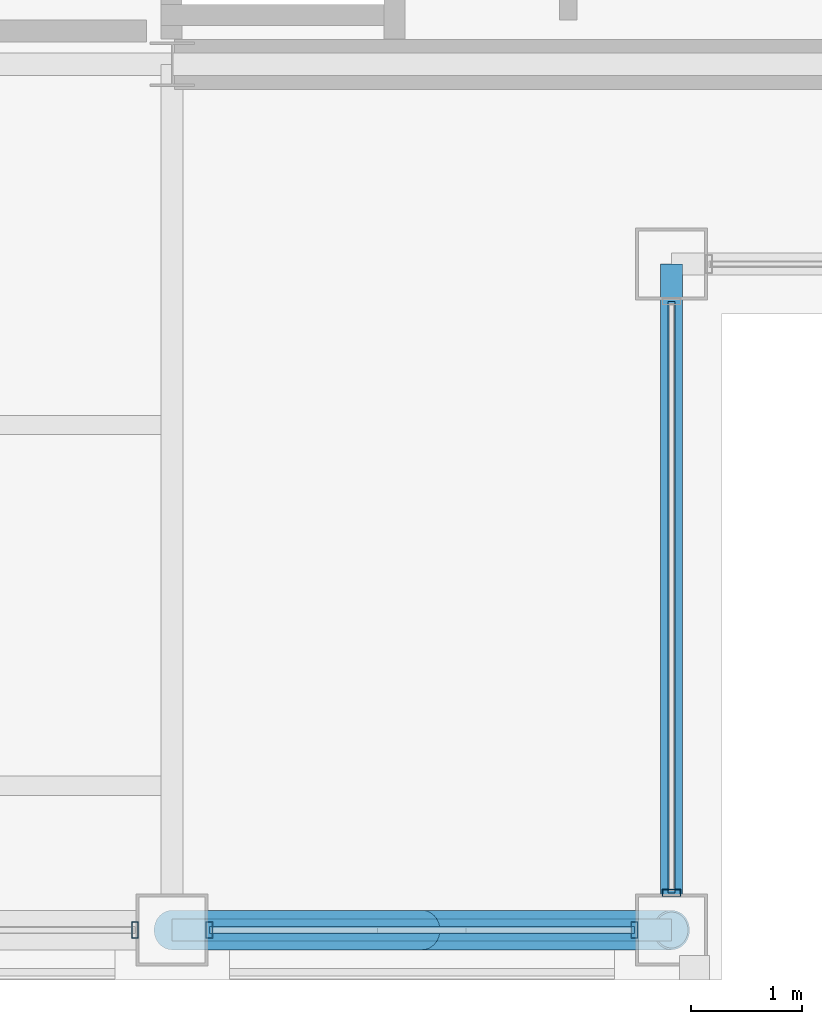
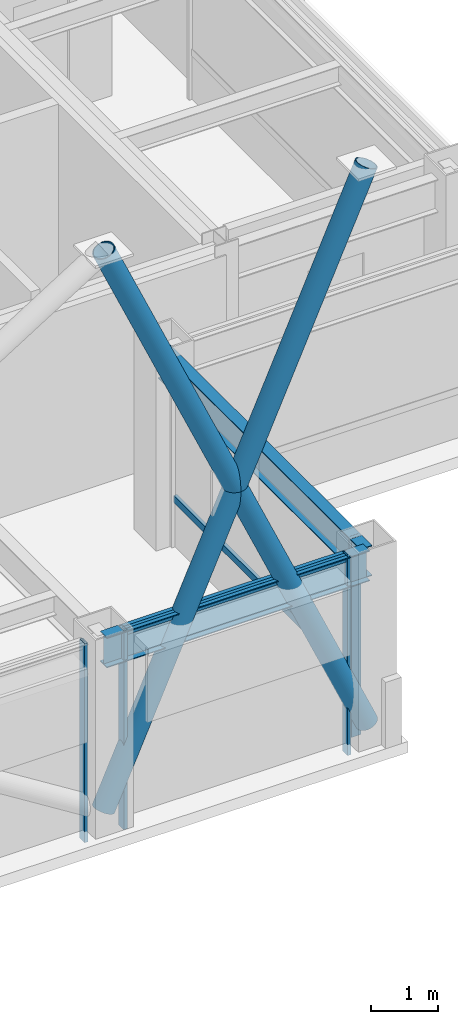
# One storey, part 8 of 30: 9 members, 2 beams, 3 elements without a shape of their own.
"""IFC4 building model written with IfcOpenShell, lengths in metres."""

from ifc_helpers import new_model, si_unit, direction, frame, origin, origin_2d, place, context, subcontext, project, spatial, hollow_rectangle, hollow_circle, i_section, extrude, material, layer, layer_set, material_profile, profile_set, type_object, element, aggregate, save


model = new_model("IFC4")

# Units and contexts
model_context = context("Model", 3, precision=1e-05, world=origin(), true_north=direction((0.0, 1.0)))
body_context = subcontext(model_context, "Body", "Model", "MODEL_VIEW")
ifc_project = project(units=[si_unit("LENGTHUNIT", "METRE"), si_unit("AREAUNIT", "SQUARE_METRE"), si_unit("VOLUMEUNIT", "CUBIC_METRE"), si_unit("PLANEANGLEUNIT", "RADIAN"), si_unit("MASSUNIT", "GRAM", prefix="KILO")], contexts=[model_context])

# Site, building, storey
site_placement = place(None, origin())
site = spatial("IfcSite", under=ifc_project, at=site_placement, CompositionType="ELEMENT")
building_placement = place(site_placement, origin())
building = spatial("IfcBuilding", under=site, at=building_placement, Name="Brelmoor Portico Tower", CompositionType="ELEMENT")
storey_placement = place(building_placement, frame((0.0, 0.0, 236.39990234375)))
storey = spatial("IfcBuildingStorey", under=building, at=storey_placement, Name="L62", CompositionType="ELEMENT", Elevation=236.39990234375)

# Beams
ifc_material_1 = material(Name="Steel Q355B", Category="steel")
ifc_material_profile_1 = material_profile(ifc_material_1, i_section(OverallWidth=0.199951171875, OverallDepth=0.550048828125, WebThickness=0.010009765625, FlangeThickness=0.01611328125, at=origin_2d()), Name="HN 550x200x10x16")
ifc_profile_set_1 = profile_set([ifc_material_profile_1], Name="Steel Q355B")
beam_type = type_object("IfcBeamType", Name="BM-SP-550", PredefinedType="SPANDREL", material=ifc_profile_set_1)
beam_1_placement = place(storey_placement, frame((8.050048828125, -17.550048828125, 3.125), z_axis=(1.0, 0.0, 0.0), x_axis=(0.0, 1.0, 0.0)))
element("IfcBeam", 1, at=beam_1_placement, inside=storey, type_object=beam_type, Name="L62 Perimeter Spandrel Beam SP-03", PredefinedType="SPANDREL", context=body_context, shape_type="SweptSolid", body=[
    extrude(i_section(OverallWidth=0.199951171875, OverallDepth=0.550048828125, WebThickness=0.010009765625, FlangeThickness=0.01611328125, at=origin_2d()), origin(), (0.0, 0.0, 1.0), 4.5),
])
beam_2_placement = place(storey_placement, frame((12.550048828125, -17.550048828125, 3.125), z_axis=(0.0, 1.0, 0.0), x_axis=(-1.0, 0.0, 0.0)))
element("IfcBeam", 2, at=beam_2_placement, inside=storey, type_object=beam_type, Name="L62 Perimeter Spandrel Beam SP-16", PredefinedType="SPANDREL", context=body_context, shape_type="SweptSolid", body=[
    extrude(i_section(OverallWidth=0.199951171875, OverallDepth=0.550048828125, WebThickness=0.010009765625, FlangeThickness=0.01611328125, at=origin_2d()), origin(), (0.0, 0.0, 1.0), 6.0),
])

# Members
ifc_material_profile_2 = material_profile(ifc_material_1, hollow_circle(Radius=0.177978515625, WallThickness=0.01611328125, at=origin_2d()), Name="CHS 356x16")
ifc_profile_set_2 = profile_set([ifc_material_profile_2], Name="Steel Q355B")
member_type_1 = type_object("IfcMemberType", Name="MB-BELT-DIAG2", PredefinedType="BRACE", material=ifc_profile_set_2)
member_1_placement = place(storey_placement, frame((8.050048828125, -17.550048828125, 0.25), z_axis=(0.406974140277, 0.0, 0.913439680081), x_axis=(0.0, 1.0, 0.0)))
element("IfcMember", 3, at=member_1_placement, inside=storey, type_object=member_type_1, Name="L62 Continuous Mega-X Brace 141A", PredefinedType="BRACE", context=body_context, shape_type="SweptSolid", body=[
    extrude(hollow_circle(Radius=0.177978515625, WallThickness=0.01611328125, at=origin_2d()), origin(), (0.0, 0.0, 1.0), 11.05712890625),
])
for number, where, z_axis, x_axis, name in (
    (4, (12.550048828125, -17.550048828125, 0.25), (-0.406974140277, 0.0, 0.913439680081), (0.0, -1.0, 0.0), "L62 Split Mega-X Brace 141B1"),
    (5, (10.300048828125, -17.550048828125, 5.300048828125), (-0.406974140277, 0.0, 0.913439680081), (0.0, -1.0, 0.0), "L62 Split Mega-X Brace 141B2"),
):
    element("IfcMember", number, at=place(storey_placement, frame(where, z_axis=z_axis, x_axis=x_axis)), inside=storey, type_object=member_type_1, Name=name, PredefinedType="BRACE", context=body_context, shape_type="SweptSolid", body=[
        extrude(hollow_circle(Radius=0.177978515625, WallThickness=0.01611328125, at=origin_2d()), origin(), (0.0, 0.0, 1.0), 5.528564453125),
    ])

# Curtain wall, member
ifc_material_2 = material(Name="Anodised Aluminium Alloy 6063-T6", Category="aluminium")
ifc_layer_1 = layer(ifc_material_2, 0.179931640625)
ifc_layer_set_1 = layer_set([ifc_layer_1], Name="Anodised Aluminium Alloy 6063-T6")
curtain_wall_type_1 = type_object("IfcCurtainWallType", Name="CW-TOWER-Z4-XB", PredefinedType="NOTDEFINED", material=ifc_layer_set_1)
curtain_wall_1_placement = place(storey_placement, origin())
curtain_wall_1 = element("IfcCurtainWall", 6, at=curtain_wall_1_placement, inside=storey, type_object=curtain_wall_type_1, Name="L62 Curtain Wall CW-L62-01-2", PredefinedType="NOTDEFINED")
ifc_material_profile_3 = material_profile(ifc_material_2, hollow_rectangle(XDim=0.06005859375, YDim=0.14990234375, WallThickness=0.00390625, at=origin_2d()), Name="ALU MULLION 60x150")
ifc_profile_set_3 = profile_set([ifc_material_profile_3], Name="Anodised Aluminium Alloy 6063-T6")
member_type_2 = type_object("IfcMemberType", Name="MB-CW-MULL-150", PredefinedType="MULLION", material=ifc_profile_set_3)
member_2_placement = place(storey_placement, frame((7.715087890625, -17.550048828125, -0.199951171875), z_axis=(0.0, 0.0, 1.0), x_axis=(1.0, 0.0, 0.0)))
member_2 = element("IfcMember", 7, at=member_2_placement, type_object=member_type_2, Name="CW-L62-01-2 Mullion 01", PredefinedType="MULLION", context=body_context, shape_type="SweptSolid", body=[
    extrude(hollow_rectangle(XDim=0.06005859375, YDim=0.14990234375, WallThickness=0.00390625, at=origin_2d()), origin(), (0.0, 0.0, 1.0), 3.60009765625),
])
aggregate(curtain_wall_1, [member_2])

# Curtain wall, members
curtain_wall_2_placement = place(storey_placement, origin())
curtain_wall_2 = element("IfcCurtainWall", 8, at=curtain_wall_2_placement, inside=storey, type_object=curtain_wall_type_1, Name="L62 Curtain Wall CW-L62-01-3", PredefinedType="NOTDEFINED")
member_3_placement = place(storey_placement, frame((8.385009765625, -17.550048828125, -0.199951171875), z_axis=(0.0, 0.0, 1.0), x_axis=(1.0, 0.0, 0.0)))
member_3 = element("IfcMember", 9, at=member_3_placement, type_object=member_type_2, Name="CW-L62-01-3 Mullion 00", PredefinedType="MULLION", context=body_context, shape_type="SweptSolid", body=[
    extrude(hollow_rectangle(XDim=0.06005859375, YDim=0.14990234375, WallThickness=0.00390625, at=origin_2d()), origin(), (0.0, 0.0, 1.0), 3.60009765625),
])
member_4_placement = place(storey_placement, frame((12.215087890625, -17.550048828125, -0.199951171875), z_axis=(0.0, 0.0, 1.0), x_axis=(1.0, 0.0, 0.0)))
member_4 = element("IfcMember", 10, at=member_4_placement, type_object=member_type_2, Name="CW-L62-01-3 Mullion 01", PredefinedType="MULLION", context=body_context, shape_type="SweptSolid", body=[
    extrude(hollow_rectangle(XDim=0.06005859375, YDim=0.14990234375, WallThickness=0.00390625, at=origin_2d()), origin(), (0.0, 0.0, 1.0), 3.60009765625),
])

# Curtain wall, member
ifc_layer_2 = layer(ifc_material_2, 0.179931640625)
ifc_layer_set_2 = layer_set([ifc_layer_2], Name="Anodised Aluminium Alloy 6063-T6")
curtain_wall_type_2 = type_object("IfcCurtainWallType", Name="CW-NOTCH-CHAMFER", PredefinedType="NOTDEFINED", material=ifc_layer_set_2)
curtain_wall_3_placement = place(storey_placement, origin())
curtain_wall_3 = element("IfcCurtainWall", 11, at=curtain_wall_3_placement, inside=storey, type_object=curtain_wall_type_2, Name="L62 Curtain Wall CWN-L62-SEV", PredefinedType="NOTDEFINED")
ifc_material_profile_4 = material_profile(ifc_material_2, hollow_rectangle(XDim=0.06494140625, YDim=0.1650390625, WallThickness=0.00390625, at=origin_2d()), Name="ALU MULLION 65x165")
ifc_profile_set_4 = profile_set([ifc_material_profile_4], Name="Anodised Aluminium Alloy 6063-T6")
member_type_3 = type_object("IfcMemberType", Name="MB-CW-MULL-165", PredefinedType="MULLION", material=ifc_profile_set_4)
member_5_placement = place(storey_placement, frame((12.550048828125, -17.215087890625, -0.199951171875), z_axis=(0.0, 0.0, 1.0), x_axis=(0.0, 1.0, 0.0)))
member_5 = element("IfcMember", 12, at=member_5_placement, type_object=member_type_3, Name="CWN-L62-SEV Mullion 00", PredefinedType="MULLION", context=body_context, shape_type="SweptSolid", body=[
    extrude(hollow_rectangle(XDim=0.06494140625, YDim=0.1650390625, WallThickness=0.00390625, at=origin_2d()), origin(), (0.0, 0.0, 1.0), 3.60009765625),
])

# Member
ifc_material_profile_5 = material_profile(ifc_material_2, hollow_rectangle(XDim=0.06005859375, YDim=0.125, WallThickness=0.00341796875, at=origin_2d()), Name="ALU TRANSOM 60x125")
ifc_profile_set_5 = profile_set([ifc_material_profile_5], Name="Anodised Aluminium Alloy 6063-T6")
member_type_4 = type_object("IfcMemberType", Name="MB-CW-TRAN-125", PredefinedType="USERDEFINED", material=ifc_profile_set_5)
member_6_placement = place(storey_placement, frame((8.385009765625, -17.550048828125, 3.337646484375), z_axis=(1.0, 0.0, 0.0), x_axis=(0.0, 1.0, 0.0)))
member_6 = element("IfcMember", 13, at=member_6_placement, type_object=member_type_4, Name="CW-L62-01-3 Transom 1-00", ObjectType="TRANSOM", PredefinedType="USERDEFINED", context=body_context, shape_type="SweptSolid", body=[
    extrude(hollow_rectangle(XDim=0.06005859375, YDim=0.125, WallThickness=0.00341796875, at=origin_2d()), origin(), (0.0, 0.0, 1.0), 3.830078125),
])

aggregate(curtain_wall_2, [member_3, member_4, member_6])

member_7_placement = place(storey_placement, frame((12.550048828125, -17.215087890625, 0.85009765625), z_axis=(0.0, 1.0, 0.0), x_axis=(-1.0, 0.0, 0.0)))
member_7 = element("IfcMember", 14, at=member_7_placement, type_object=member_type_4, Name="CWN-L62-SEV Transom 1-00", ObjectType="TRANSOM", PredefinedType="USERDEFINED", context=body_context, shape_type="SweptSolid", body=[
    extrude(hollow_rectangle(XDim=0.06005859375, YDim=0.125, WallThickness=0.00341796875, at=origin_2d()), origin(), (0.0, 0.0, 1.0), 5.330078125),
])

aggregate(curtain_wall_3, [member_5, member_7])

save(model, "model.ifc")
